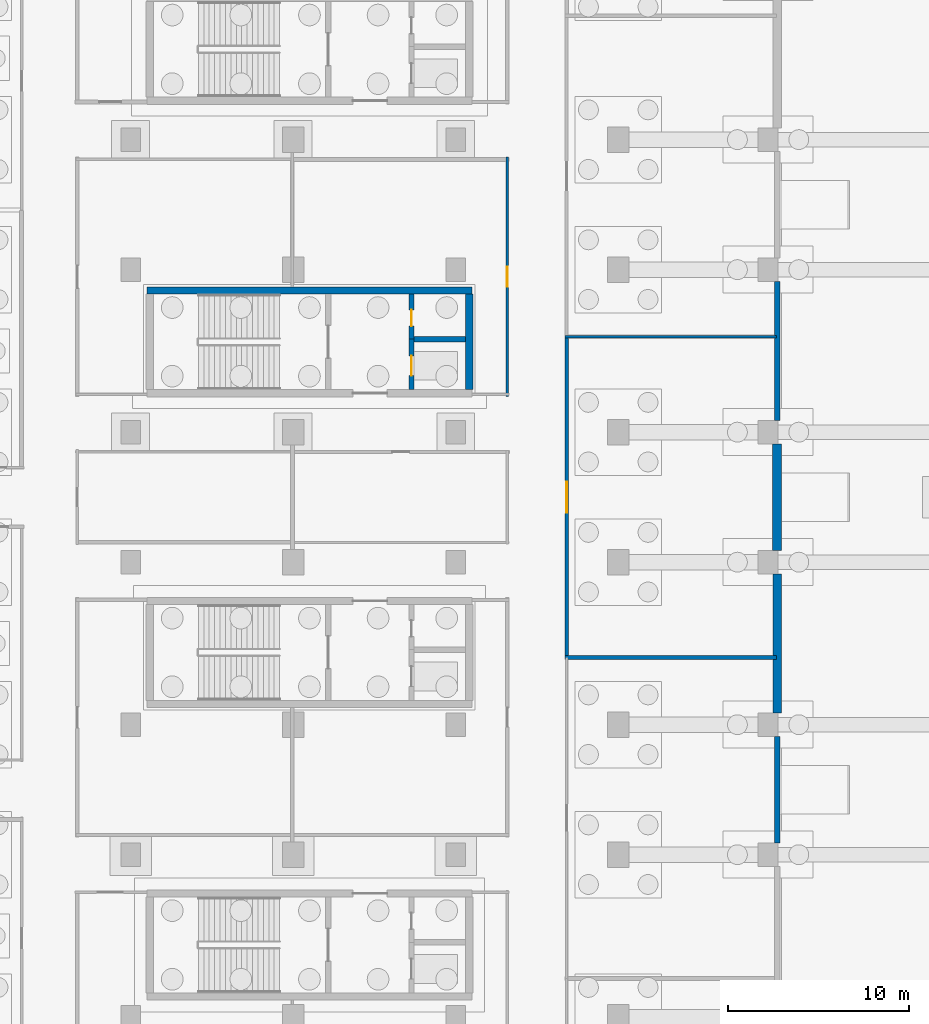
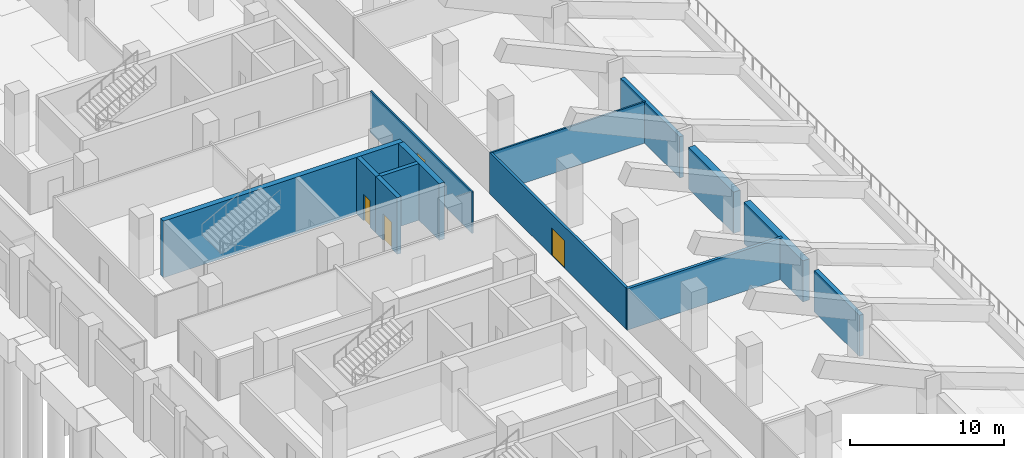
# One storey, part 20 of 53: 13 walls, 4 doors, 4 openings.
"""IFC4 building model written with IfcOpenShell, lengths in metres."""

from ifc_helpers import new_model, si_unit, direction, frame, frame_2d, origin, place, context, subcontext, project, spatial, rectangle, extrude, material, layer, layer_set, type_object, element, fill, save


model = new_model("IFC4")

# Units and contexts
model_context = context("Model", 3, precision=1e-05, world=origin(), true_north=direction((0.0, 1.0)))
body_context = subcontext(model_context, "Body", "Model", "MODEL_VIEW")
ifc_project = project(units=[si_unit("LENGTHUNIT", "METRE"), si_unit("AREAUNIT", "SQUARE_METRE"), si_unit("VOLUMEUNIT", "CUBIC_METRE"), si_unit("PLANEANGLEUNIT", "RADIAN"), si_unit("MASSUNIT", "GRAM", prefix="KILO"), si_unit("THERMODYNAMICTEMPERATUREUNIT", "KELVIN"), si_unit("POWERUNIT", "WATT")], contexts=[model_context])

# Site, building, storey
site_placement = place(None, origin())
site = spatial("IfcSite", under=ifc_project, at=site_placement, CompositionType="ELEMENT")
building_placement = place(site_placement, origin())
building = spatial("IfcBuilding", under=site, at=building_placement, Name="Sindhuravela Promenade Stadium", CompositionType="ELEMENT")
storey_placement = place(building_placement, origin())
storey = spatial("IfcBuildingStorey", under=building, at=storey_placement, Name="L00", CompositionType="ELEMENT", Elevation=0.0)

# Walls
ifc_material_1 = material(Name="Dholpur sandstone ashlar (45 MPa)", Category="masonry")
ifc_layer_1 = layer(ifc_material_1, 0.2900390625)
ifc_layer_set_1 = layer_set([ifc_layer_1], Name="Dholpur sandstone ashlar (45 MPa)")
wall_type_1 = type_object("IfcWallType", Name="EX-WL-SND290", PredefinedType="SOLIDWALL", material=ifc_layer_set_1)
wall_1_placement = place(storey_placement, frame((44.800048828125, 92.945068359375, 0.0), z_axis=(0.0, 0.0, 1.0), x_axis=(0.0, -1.0, 0.0)))
element("IfcWall", 1, at=wall_1_placement, inside=storey, type_object=wall_type_1, Name="Exterior masonry wall EW10 WEST L00", PredefinedType="SOLIDWALL", context=body_context, shape_type="SweptSolid", body=[
    extrude(rectangle(XDim=7.690185546875, YDim=0.2900390625, at=frame_2d((3.84521484375, 0.0))), origin(), (0.0, 0.0, 1.0), 3.280029296875),
])
ifc_layer_2 = layer(ifc_material_1, 0.31005859375)
ifc_layer_set_2 = layer_set([ifc_layer_2], Name="Dholpur sandstone ashlar (45 MPa)")
wall_type_2 = type_object("IfcWallType", Name="EX-WL-SND310", PredefinedType="SOLIDWALL", material=ifc_layer_set_2)
wall_2_placement = place(storey_placement, frame((44.800048828125, 67.7451171875, 0.0), z_axis=(0.0, 0.0, 1.0), x_axis=(0.0, -1.0, 0.0)))
element("IfcWall", 2, at=wall_2_placement, inside=storey, type_object=wall_type_2, Name="Exterior masonry wall EW09 WEST L00", PredefinedType="SOLIDWALL", context=body_context, shape_type="SweptSolid", body=[
    extrude(rectangle(XDim=5.89013671875, YDim=0.31005859375, at=frame_2d((2.945068359375, 0.0))), origin(), (0.0, 0.0, 1.0), 3.280029296875),
])
ifc_layer_3 = layer(ifc_material_1, 0.47998046875)
ifc_layer_set_3 = layer_set([ifc_layer_3], Name="Dholpur sandstone ashlar (45 MPa)")
wall_type_3 = type_object("IfcWallType", Name="EX-WL-SND480", PredefinedType="SOLIDWALL", material=ifc_layer_set_3)
wall_3_placement = place(storey_placement, frame((44.800048828125, 76.7451171875, 0.0), z_axis=(0.0, 0.0, 1.0), x_axis=(0.0, -1.0, 0.0)))
element("IfcWall", 3, at=wall_3_placement, inside=storey, type_object=wall_type_3, Name="Exterior masonry wall EW08 WEST L00", PredefinedType="SOLIDWALL", context=body_context, shape_type="SweptSolid", body=[
    extrude(rectangle(XDim=7.690185546875, YDim=0.47998046875, at=frame_2d((3.84521484375, 0.0))), origin(), (0.0, 0.0, 1.0), 3.280029296875),
])
ifc_layer_4 = layer(ifc_material_1, 0.5)
ifc_layer_set_4 = layer_set([ifc_layer_4], Name="Dholpur sandstone ashlar (45 MPa)")
wall_type_4 = type_object("IfcWallType", Name="EX-WL-SND500", PredefinedType="SOLIDWALL", material=ifc_layer_set_4)
wall_4_placement = place(storey_placement, frame((44.800048828125, 83.945068359375, 0.0), z_axis=(0.0, 0.0, 1.0), x_axis=(0.0, -1.0, 0.0)))
element("IfcWall", 4, at=wall_4_placement, inside=storey, type_object=wall_type_4, Name="Exterior masonry wall EW07 WEST L00", PredefinedType="SOLIDWALL", context=body_context, shape_type="SweptSolid", body=[
    extrude(rectangle(XDim=5.89013671875, YDim=0.5, at=frame_2d((2.945068359375, 0.0))), origin(), (0.0, 0.0, 1.0), 3.280029296875),
])
ifc_material_2 = material(Name="Fire-rated gypsum partition board", Category="gypsum")
ifc_layer_5 = layer(ifc_material_2, 0.1298828125)
ifc_layer_set_5 = layer_set([ifc_layer_5], Name="Fire-rated gypsum partition board")
wall_type_5 = type_object("IfcWallType", Name="IN-WL-PAR130", PredefinedType="PARTITIONING", material=ifc_layer_set_5)
wall_5_placement = place(storey_placement, frame((44.760009765625, 89.885986328125, 0.0), z_axis=(0.0, 0.0, 1.0), x_axis=(-1.0, 0.0, 0.0)))
element("IfcWall", 5, at=wall_5_placement, inside=storey, type_object=wall_type_5, Name="Interior partition IW05 WEST L00", PredefinedType="PARTITIONING", context=body_context, shape_type="SweptSolid", body=[
    extrude(rectangle(XDim=11.699951171875, YDim=0.1298828125, at=frame_2d((5.85009765625, 0.0))), origin(), (0.0, 0.0, 1.0), 3.280029296875),
])

# Wall, opening, door
wall_6_placement = place(storey_placement, frame((29.860107421875, 86.570068359375, 0.0), z_axis=(0.0, 0.0, 1.0), x_axis=(0.0, 1.0, 0.0)))
wall_6 = element("IfcWall", 6, at=wall_6_placement, inside=storey, type_object=wall_type_5, Name="Corridor partition IW05 Home Team Changing Suite 2", PredefinedType="PARTITIONING", context=body_context, shape_type="SweptSolid", body=[
    extrude(rectangle(XDim=13.260009765625, YDim=0.1298828125, at=frame_2d((6.6298828125, 0.0))), origin(), (0.0, 0.0, 1.0), 3.280029296875),
])
opening_1_placement = place(wall_6_placement, frame((6.080078125, 0.0, 0.0)))
opening_1 = element("IfcOpeningElement", 7, at=opening_1_placement, cuts=wall_6, Name="Opening ID06", PredefinedType="OPENING", context=body_context, shape_type="SweptSolid", body=[
    extrude(rectangle(XDim=1.10009765625, YDim=2.10009765625, at=frame_2d((0.550048828125, 1.050048828125))), frame((0.0, 0.074951171875, 0.0), z_axis=(0.0, -1.0, 0.0), x_axis=(1.0, 0.0, 0.0)), (0.0, 0.0, 1.0), 0.14990234375),
])
ifc_material_3 = material(Name="Architectural teak timber leaf", Category="wood")
door_type_1 = type_object("IfcDoorType", Name="DR-INT-1100x2100", OperationType="NOTDEFINED", PredefinedType="DOOR", material=ifc_material_3)
door_1_placement = place(opening_1_placement, origin())
door_1 = element("IfcDoor", 8, at=door_1_placement, inside=storey, type_object=door_type_1, Name="Home Team Changing Suite 2 door", OperationType="SINGLE_SWING_LEFT", OverallHeight=2.10009765625, OverallWidth=1.10009765625, PredefinedType="DOOR", context=body_context, shape_type="SweptSolid", body=[
    extrude(rectangle(XDim=1.10009765625, YDim=2.10009765625, at=frame_2d((0.550048828125, 1.050048828125))), frame((0.0, 0.02490234375, 0.0), z_axis=(0.0, -1.0, 0.0), x_axis=(1.0, 0.0, 0.0)), (0.0, 0.0, 1.0), 0.050048828125),
])
fill(opening_1, door_1)

ifc_layer_6 = layer(ifc_material_2, 0.195068359375)
ifc_layer_set_6 = layer_set([ifc_layer_6], Name="Fire-rated gypsum partition board")
wall_type_6 = type_object("IfcWallType", Name="IN-WL-PAR195", PredefinedType="PARTITIONING", material=ifc_layer_set_6)
wall_7_placement = place(storey_placement, frame((33.139892578125, 89.885986328125, 0.0), z_axis=(0.0, 0.0, 1.0), x_axis=(0.0, -1.0, 0.0)))
wall_7 = element("IfcWall", 9, at=wall_7_placement, inside=storey, type_object=wall_type_6, Name="Corridor partition IW02 Media Mixed Zone Hall", PredefinedType="PARTITIONING", context=body_context, shape_type="SweptSolid", body=[
    extrude(rectangle(XDim=17.77197265625, YDim=0.195068359375, at=frame_2d((8.885986328125, 0.0))), origin(), (0.0, 0.0, 1.0), 3.280029296875),
])
opening_2_placement = place(wall_7_placement, frame((8.035888671875, 0.0, 0.0)))
opening_2 = element("IfcOpeningElement", 10, at=opening_2_placement, cuts=wall_7, Name="Opening ID01", PredefinedType="OPENING", context=body_context, shape_type="SweptSolid", body=[
    extrude(rectangle(XDim=1.699951171875, YDim=2.199951171875, at=frame_2d((0.85009765625, 1.10009765625))), frame((0.0, 0.107421875, 0.0), z_axis=(0.0, -1.0, 0.0), x_axis=(1.0, 0.0, 0.0)), (0.0, 0.0, 1.0), 0.215087890625),
])
door_type_2 = type_object("IfcDoorType", Name="DR-INT-1700x2200", OperationType="DOUBLE_DOOR_SINGLE_SWING", PredefinedType="DOOR", material=ifc_material_3)
door_2_placement = place(opening_2_placement, origin())
door_2 = element("IfcDoor", 11, at=door_2_placement, inside=storey, type_object=door_type_2, Name="Media Mixed Zone Hall door", OperationType="DOUBLE_DOOR_SINGLE_SWING", OverallHeight=2.199951171875, OverallWidth=1.699951171875, PredefinedType="DOOR", context=body_context, shape_type="SweptSolid", body=[
    extrude(rectangle(XDim=1.699951171875, YDim=2.199951171875, at=frame_2d((0.85009765625, 1.10009765625))), frame((0.0, 0.02490234375, 0.0), z_axis=(0.0, -1.0, 0.0), x_axis=(1.0, 0.0, 0.0)), (0.0, 0.0, 1.0), 0.050048828125),
])
fill(opening_2, door_2)

# Wall
ifc_layer_7 = layer(ifc_material_2, 0.219970703125)
ifc_layer_set_7 = layer_set([ifc_layer_7], Name="Fire-rated gypsum partition board")
wall_type_7 = type_object("IfcWallType", Name="IN-WL-PAR220", PredefinedType="PARTITIONING", material=ifc_layer_set_7)
wall_8_placement = place(storey_placement, frame((33.06005859375, 72.114013671875, 0.0), z_axis=(0.0, 0.0, 1.0), x_axis=(1.0, 0.0, 0.0)))
element("IfcWall", 12, at=wall_8_placement, inside=storey, type_object=wall_type_7, Name="Interior partition IW01 WEST L00", PredefinedType="PARTITIONING", context=body_context, shape_type="SweptSolid", body=[
    extrude(rectangle(XDim=11.699951171875, YDim=0.219970703125, at=frame_2d((5.85009765625, 0.0))), origin(), (0.0, 0.0, 1.0), 3.280029296875),
])

# Wall, opening, door
ifc_material_4 = material(Name="Concrete M50", Category="concrete")
ifc_layer_8 = layer(ifc_material_4, 0.300048828125)
ifc_layer_set_8 = layer_set([ifc_layer_8], Name="Concrete M50")
wall_type_8 = type_object("IfcWallType", Name="RC-SW-300", PredefinedType="SHEAR", material=ifc_layer_set_8)
wall_9_placement = place(storey_placement, frame((24.550048828125, 86.949951171875, 0.0), z_axis=(0.0, 0.0, 1.0), x_axis=(0.0, 1.0, 0.0)))
wall_9 = element("IfcWall", 13, at=wall_9_placement, inside=storey, type_object=wall_type_8, Name="Core shear wall C03-LFT (L00)", PredefinedType="SHEAR", context=body_context, shape_type="SweptSolid", body=[
    extrude(rectangle(XDim=2.800048828125, YDim=0.300048828125, at=frame_2d((1.39990234375, 0.0))), origin(), (0.0, 0.0, 1.0), 4.5),
])
opening_3_placement = place(wall_9_placement, frame((0.77490234375, 0.0, 0.0)))
opening_3 = element("IfcOpeningElement", 14, at=opening_3_placement, cuts=wall_9, Name="Opening LD", PredefinedType="OPENING", context=body_context, shape_type="SweptSolid", body=[
    extrude(rectangle(XDim=1.10009765625, YDim=2.10009765625, at=frame_2d((0.550048828125, 1.050048828125))), frame((0.0, 0.159912109375, 0.0), z_axis=(0.0, -1.0, 0.0), x_axis=(1.0, 0.0, 0.0)), (0.0, 0.0, 1.0), 0.320068359375),
])
ifc_material_5 = material(Name="Architectural wrought steel E350", Category="steel")
door_type_3 = type_object("IfcDoorType", Name="DR-LFT-1100x2100", OperationType="DOUBLE_DOOR_SLIDING", PredefinedType="DOOR", material=ifc_material_5)
door_3_placement = place(opening_3_placement, origin())
door_3 = element("IfcDoor", 15, at=door_3_placement, inside=storey, type_object=door_type_3, Name="Lift FL03 landing door (L00)", OperationType="DOUBLE_DOOR_SLIDING", OverallHeight=2.10009765625, OverallWidth=1.10009765625, PredefinedType="DOOR", context=body_context, shape_type="SweptSolid", body=[
    extrude(rectangle(XDim=1.10009765625, YDim=2.10009765625, at=frame_2d((0.550048828125, 1.050048828125))), frame((0.0, 0.02490234375, 0.0), z_axis=(0.0, -1.0, 0.0), x_axis=(1.0, 0.0, 0.0)), (0.0, 0.0, 1.0), 0.050048828125),
])
fill(opening_3, door_3)

wall_10_placement = place(storey_placement, frame((24.550048828125, 89.75, 0.0), z_axis=(0.0, 0.0, 1.0), x_axis=(0.0, 1.0, 0.0)))
wall_10 = element("IfcWall", 16, at=wall_10_placement, inside=storey, type_object=wall_type_8, Name="Core shear wall C03-RSR (L00)", PredefinedType="SHEAR", context=body_context, shape_type="SweptSolid", body=[
    extrude(rectangle(XDim=2.5, YDim=0.300048828125, at=frame_2d((1.25, 0.0))), origin(), (0.0, 0.0, 1.0), 4.5),
])
opening_4_placement = place(wall_10_placement, frame((0.72509765625, 0.0, 0.0)))
opening_4 = element("IfcOpeningElement", 17, at=opening_4_placement, cuts=wall_10, Name="Opening FD03", PredefinedType="OPENING", context=body_context, shape_type="SweptSolid", body=[
    extrude(rectangle(XDim=0.89990234375, YDim=2.10009765625, at=frame_2d((0.449951171875, 1.050048828125))), frame((0.0, 0.159912109375, 0.0), z_axis=(0.0, -1.0, 0.0), x_axis=(1.0, 0.0, 0.0)), (0.0, 0.0, 1.0), 0.320068359375),
])
door_type_4 = type_object("IfcDoorType", Name="DR-RSR-900x2100", OperationType="NOTDEFINED", PredefinedType="DOOR", material=ifc_material_5)
door_4_placement = place(opening_4_placement, origin())
door_4 = element("IfcDoor", 18, at=door_4_placement, inside=storey, type_object=door_type_4, Name="Riser shaft access door C03 (L00)", OperationType="SINGLE_SWING_LEFT", OverallHeight=2.10009765625, OverallWidth=0.89990234375, PredefinedType="DOOR", context=body_context, shape_type="SweptSolid", body=[
    extrude(rectangle(XDim=0.89990234375, YDim=2.10009765625, at=frame_2d((0.449951171875, 1.050048828125))), frame((0.0, 0.02490234375, 0.0), z_axis=(0.0, -1.0, 0.0), x_axis=(1.0, 0.0, 0.0)), (0.0, 0.0, 1.0), 0.050048828125),
])
fill(opening_4, door_4)

# Walls
wall_11_placement = place(storey_placement, frame((24.699951171875, 89.75, 0.0), z_axis=(0.0, 0.0, 1.0), x_axis=(1.0, 0.0, 0.0)))
element("IfcWall", 19, at=wall_11_placement, inside=storey, type_object=wall_type_8, Name="Core shear wall C03-DIV (L00)", PredefinedType="SHEAR", context=body_context, shape_type="SweptSolid", body=[
    extrude(rectangle(XDim=2.85009765625, YDim=0.300048828125, at=frame_2d((1.425048828125, 0.0))), origin(), (0.0, 0.0, 1.0), 4.5),
])
ifc_layer_9 = layer(ifc_material_4, 0.39990234375)
ifc_layer_set_9 = layer_set([ifc_layer_9], Name="Concrete M50")
wall_type_9 = type_object("IfcWallType", Name="RC-SW-400", PredefinedType="SHEAR", material=ifc_layer_set_9)
wall_12_placement = place(storey_placement, frame((27.89990234375, 92.449951171875, 0.0), z_axis=(0.0, 0.0, 1.0), x_axis=(-1.0, 0.0, 0.0)))
element("IfcWall", 20, at=wall_12_placement, inside=storey, type_object=wall_type_9, Name="Core shear wall C03-N (L00)", PredefinedType="SHEAR", context=body_context, shape_type="SweptSolid", body=[
    extrude(rectangle(XDim=18.0, YDim=0.39990234375, at=frame_2d((9.0, 0.0))), origin(), (0.0, 0.0, 1.0), 4.5),
])
wall_13_placement = place(storey_placement, frame((27.75, 86.949951171875, 0.0), z_axis=(0.0, 0.0, 1.0), x_axis=(0.0, 1.0, 0.0)))
element("IfcWall", 21, at=wall_13_placement, inside=storey, type_object=wall_type_9, Name="Core shear wall C03-E (L00)", PredefinedType="SHEAR", context=body_context, shape_type="SweptSolid", body=[
    extrude(rectangle(XDim=5.300048828125, YDim=0.39990234375, at=frame_2d((2.64990234375, 0.0))), origin(), (0.0, 0.0, 1.0), 4.5),
])

save(model, "model.ifc")
